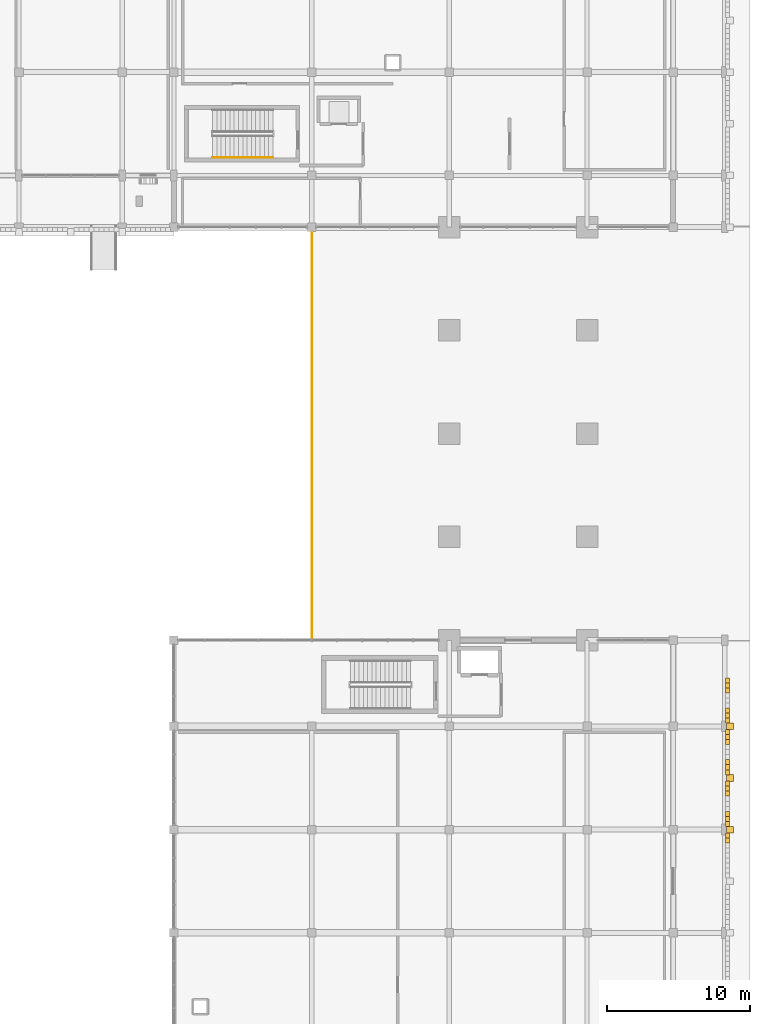
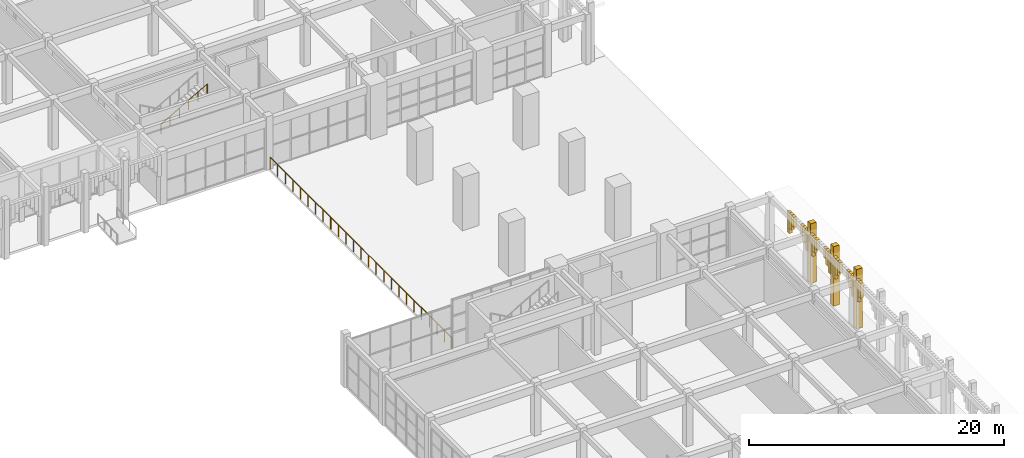
# One storey, part 61 of 72: 23 coverings, 2 railings.
"""IFC4 building model written with IfcOpenShell, lengths in metres."""

from ifc_helpers import new_model, si_unit, direction, frame, origin, origin_2d, place, context, subcontext, project, spatial, rectangle, circle, extrude, material, layer, layer_set, type_object, element, save


model = new_model("IFC4")

# Units and contexts
model_context = context("Model", 3, precision=1e-05, world=origin(), true_north=direction((0.0, 1.0)))
body_context = subcontext(model_context, "Body", "Model", "MODEL_VIEW")
ifc_project = project(units=[si_unit("LENGTHUNIT", "METRE"), si_unit("AREAUNIT", "SQUARE_METRE"), si_unit("VOLUMEUNIT", "CUBIC_METRE"), si_unit("PLANEANGLEUNIT", "RADIAN"), si_unit("MASSUNIT", "GRAM", prefix="KILO")], contexts=[model_context])

# Site, building, storey
site_placement = place(None, origin())
site = spatial("IfcSite", under=ifc_project, at=site_placement, CompositionType="ELEMENT")
building_placement = place(site_placement, origin())
building = spatial("IfcBuilding", under=site, at=building_placement, Name="Nzembalo Square Collegiate School", CompositionType="ELEMENT")
storey_placement = place(building_placement, origin())
storey = spatial("IfcBuildingStorey", under=building, at=storey_placement, Name="L00", CompositionType="ELEMENT", Elevation=0.0)

# Coverings
ifc_material_1 = material(Name="Precast concrete C40/50 arch voussoir", Category="concrete")
ifc_layer = layer(ifc_material_1, 0.1201171875, Name="Precast concrete C40/50 arch voussoir")
ifc_layer_set = layer_set([ifc_layer], Name="Precast concrete C40/50 arch voussoir")
covering_type = type_object("IfcCoveringType", Name="AR01", PredefinedType="CLADDING", material=ifc_layer_set)
covering_1_placement = place(storey_placement, frame((169.3798828125, 36.453369140625, 3.361328125), z_axis=(0.0, 0.0, 1.0), x_axis=(1.0, 0.0, 0.0)))
element("IfcCovering", 1, at=covering_1_placement, inside=storey, type_object=covering_type, Name="Gothic pointed arch voussoir AR01-084-7", PredefinedType="CLADDING", context=body_context, shape_type="SweptSolid", body=[
    extrude(rectangle(XDim=0.280029296875, YDim=0.35107421875, at=origin_2d()), origin(), (0.0, 0.0, 1.0), 1.438720703125),
])
covering_2_placement = place(storey_placement, frame((169.3798828125, 36.804443359375, 2.80859375), z_axis=(0.0, 0.0, 1.0), x_axis=(1.0, 0.0, 0.0)))
element("IfcCovering", 2, at=covering_2_placement, inside=storey, type_object=covering_type, Name="Gothic pointed arch voussoir AR01-084-8", PredefinedType="CLADDING", context=body_context, shape_type="SweptSolid", body=[
    extrude(rectangle(XDim=0.280029296875, YDim=0.35107421875, at=origin_2d()), origin(), (0.0, 0.0, 1.0), 1.991455078125),
])
covering_3_placement = place(storey_placement, frame((169.3798828125, 37.595703125, 2.808349609375), z_axis=(0.0, 0.0, 1.0), x_axis=(1.0, 0.0, 0.0)))
element("IfcCovering", 3, at=covering_3_placement, inside=storey, type_object=covering_type, Name="Gothic pointed arch voussoir AR01-085-0", PredefinedType="CLADDING", context=body_context, shape_type="SweptSolid", body=[
    extrude(rectangle(XDim=0.280029296875, YDim=0.35107421875, at=origin_2d()), origin(), (0.0, 0.0, 1.0), 1.99169921875),
])
covering_4_placement = place(storey_placement, frame((169.3798828125, 37.94677734375, 3.361083984375), z_axis=(0.0, 0.0, 1.0), x_axis=(1.0, 0.0, 0.0)))
element("IfcCovering", 4, at=covering_4_placement, inside=storey, type_object=covering_type, Name="Gothic pointed arch voussoir AR01-085-1", PredefinedType="CLADDING", context=body_context, shape_type="SweptSolid", body=[
    extrude(rectangle(XDim=0.280029296875, YDim=0.35107421875, at=origin_2d()), origin(), (0.0, 0.0, 1.0), 1.43896484375),
])
for number, where, z_axis, x_axis, name in (
    (5, (169.3798828125, 38.2978515625, 3.810546875), (0.0, 0.0, 1.0), (1.0, 0.0, 0.0), "Gothic pointed arch voussoir AR01-085-2"),
    (6, (169.3798828125, 39.7021484375, 3.810546875), (0.0, 0.0, 1.0), (1.0, 0.0, 0.0), "Gothic pointed arch voussoir AR01-085-6"),
):
    element("IfcCovering", number, at=place(storey_placement, frame(where, z_axis=z_axis, x_axis=x_axis)), inside=storey, type_object=covering_type, Name=name, PredefinedType="CLADDING", context=body_context, shape_type="SweptSolid", body=[
        extrude(rectangle(XDim=0.280029296875, YDim=0.35107421875, at=origin_2d()), origin(), (0.0, 0.0, 1.0), 0.989501953125),
    ])
covering_5_placement = place(storey_placement, frame((169.3798828125, 40.05322265625, 3.361328125), z_axis=(0.0, 0.0, 1.0), x_axis=(1.0, 0.0, 0.0)))
element("IfcCovering", 7, at=covering_5_placement, inside=storey, type_object=covering_type, Name="Gothic pointed arch voussoir AR01-085-7", PredefinedType="CLADDING", context=body_context, shape_type="SweptSolid", body=[
    extrude(rectangle(XDim=0.280029296875, YDim=0.35107421875, at=origin_2d()), origin(), (0.0, 0.0, 1.0), 1.438720703125),
])
covering_6_placement = place(storey_placement, frame((169.3798828125, 40.404296875, 2.80859375), z_axis=(0.0, 0.0, 1.0), x_axis=(1.0, 0.0, 0.0)))
element("IfcCovering", 8, at=covering_6_placement, inside=storey, type_object=covering_type, Name="Gothic pointed arch voussoir AR01-085-8", PredefinedType="CLADDING", context=body_context, shape_type="SweptSolid", body=[
    extrude(rectangle(XDim=0.280029296875, YDim=0.35107421875, at=origin_2d()), origin(), (0.0, 0.0, 1.0), 1.991455078125),
])
covering_7_placement = place(storey_placement, frame((169.56005859375, 37.199951171875, 0.0), z_axis=(0.0, 0.0, 1.0), x_axis=(1.0, 0.0, 0.0)))
element("IfcCovering", 9, at=covering_7_placement, inside=storey, type_object=covering_type, Name="Gothic arcade buttress pinnacle AR01-B085", PredefinedType="CLADDING", context=body_context, shape_type="SweptSolid", body=[
    extrude(rectangle(XDim=0.52001953125, YDim=0.4599609375, at=origin_2d()), origin(), (0.0, 0.0, 1.0), 5.699951171875),
])
covering_8_placement = place(storey_placement, frame((169.3798828125, 41.195556640625, 2.808349609375), z_axis=(0.0, 0.0, 1.0), x_axis=(1.0, 0.0, 0.0)))
element("IfcCovering", 10, at=covering_8_placement, inside=storey, type_object=covering_type, Name="Gothic pointed arch voussoir AR01-086-0", PredefinedType="CLADDING", context=body_context, shape_type="SweptSolid", body=[
    extrude(rectangle(XDim=0.280029296875, YDim=0.35107421875, at=origin_2d()), origin(), (0.0, 0.0, 1.0), 1.99169921875),
])
covering_9_placement = place(storey_placement, frame((169.3798828125, 41.546630859375, 3.361083984375), z_axis=(0.0, 0.0, 1.0), x_axis=(1.0, 0.0, 0.0)))
element("IfcCovering", 11, at=covering_9_placement, inside=storey, type_object=covering_type, Name="Gothic pointed arch voussoir AR01-086-1", PredefinedType="CLADDING", context=body_context, shape_type="SweptSolid", body=[
    extrude(rectangle(XDim=0.280029296875, YDim=0.35107421875, at=origin_2d()), origin(), (0.0, 0.0, 1.0), 1.43896484375),
])
for number, where, z_axis, x_axis, name in (
    (12, (169.3798828125, 41.897705078125, 3.810546875), (0.0, 0.0, 1.0), (1.0, 0.0, 0.0), "Gothic pointed arch voussoir AR01-086-2"),
    (13, (169.3798828125, 43.30224609375, 3.810546875), (0.0, 0.0, 1.0), (1.0, 0.0, 0.0), "Gothic pointed arch voussoir AR01-086-6"),
):
    element("IfcCovering", number, at=place(storey_placement, frame(where, z_axis=z_axis, x_axis=x_axis)), inside=storey, type_object=covering_type, Name=name, PredefinedType="CLADDING", context=body_context, shape_type="SweptSolid", body=[
        extrude(rectangle(XDim=0.280029296875, YDim=0.35107421875, at=origin_2d()), origin(), (0.0, 0.0, 1.0), 0.989501953125),
    ])
covering_10_placement = place(storey_placement, frame((169.3798828125, 43.6533203125, 3.361328125), z_axis=(0.0, 0.0, 1.0), x_axis=(1.0, 0.0, 0.0)))
element("IfcCovering", 14, at=covering_10_placement, inside=storey, type_object=covering_type, Name="Gothic pointed arch voussoir AR01-086-7", PredefinedType="CLADDING", context=body_context, shape_type="SweptSolid", body=[
    extrude(rectangle(XDim=0.280029296875, YDim=0.35107421875, at=origin_2d()), origin(), (0.0, 0.0, 1.0), 1.438720703125),
])
covering_11_placement = place(storey_placement, frame((169.3798828125, 44.00439453125, 2.80859375), z_axis=(0.0, 0.0, 1.0), x_axis=(1.0, 0.0, 0.0)))
element("IfcCovering", 15, at=covering_11_placement, inside=storey, type_object=covering_type, Name="Gothic pointed arch voussoir AR01-086-8", PredefinedType="CLADDING", context=body_context, shape_type="SweptSolid", body=[
    extrude(rectangle(XDim=0.280029296875, YDim=0.35107421875, at=origin_2d()), origin(), (0.0, 0.0, 1.0), 1.991455078125),
])
covering_12_placement = place(storey_placement, frame((169.56005859375, 40.800048828125, 0.0), z_axis=(0.0, 0.0, 1.0), x_axis=(1.0, 0.0, 0.0)))
element("IfcCovering", 16, at=covering_12_placement, inside=storey, type_object=covering_type, Name="Gothic arcade buttress pinnacle AR01-B086", PredefinedType="CLADDING", context=body_context, shape_type="SweptSolid", body=[
    extrude(rectangle(XDim=0.52001953125, YDim=0.4599609375, at=origin_2d()), origin(), (0.0, 0.0, 1.0), 5.699951171875),
])
covering_13_placement = place(storey_placement, frame((169.3798828125, 44.795654296875, 2.808349609375), z_axis=(0.0, 0.0, 1.0), x_axis=(1.0, 0.0, 0.0)))
element("IfcCovering", 17, at=covering_13_placement, inside=storey, type_object=covering_type, Name="Gothic pointed arch voussoir AR01-087-0", PredefinedType="CLADDING", context=body_context, shape_type="SweptSolid", body=[
    extrude(rectangle(XDim=0.280029296875, YDim=0.35107421875, at=origin_2d()), origin(), (0.0, 0.0, 1.0), 1.99169921875),
])
covering_14_placement = place(storey_placement, frame((169.3798828125, 45.146728515625, 3.361083984375), z_axis=(0.0, 0.0, 1.0), x_axis=(1.0, 0.0, 0.0)))
element("IfcCovering", 18, at=covering_14_placement, inside=storey, type_object=covering_type, Name="Gothic pointed arch voussoir AR01-087-1", PredefinedType="CLADDING", context=body_context, shape_type="SweptSolid", body=[
    extrude(rectangle(XDim=0.280029296875, YDim=0.35107421875, at=origin_2d()), origin(), (0.0, 0.0, 1.0), 1.43896484375),
])
for number, where, z_axis, x_axis, name in (
    (19, (169.3798828125, 45.497802734375, 3.810546875), (0.0, 0.0, 1.0), (1.0, 0.0, 0.0), "Gothic pointed arch voussoir AR01-087-2"),
    (20, (169.3798828125, 46.902099609375, 3.810546875), (0.0, 0.0, 1.0), (1.0, 0.0, 0.0), "Gothic pointed arch voussoir AR01-087-6"),
):
    element("IfcCovering", number, at=place(storey_placement, frame(where, z_axis=z_axis, x_axis=x_axis)), inside=storey, type_object=covering_type, Name=name, PredefinedType="CLADDING", context=body_context, shape_type="SweptSolid", body=[
        extrude(rectangle(XDim=0.280029296875, YDim=0.35107421875, at=origin_2d()), origin(), (0.0, 0.0, 1.0), 0.989501953125),
    ])
covering_15_placement = place(storey_placement, frame((169.3798828125, 47.25341796875, 3.361328125), z_axis=(0.0, 0.0, 1.0), x_axis=(1.0, 0.0, 0.0)))
element("IfcCovering", 21, at=covering_15_placement, inside=storey, type_object=covering_type, Name="Gothic pointed arch voussoir AR01-087-7", PredefinedType="CLADDING", context=body_context, shape_type="SweptSolid", body=[
    extrude(rectangle(XDim=0.280029296875, YDim=0.35107421875, at=origin_2d()), origin(), (0.0, 0.0, 1.0), 1.438720703125),
])
covering_16_placement = place(storey_placement, frame((169.3798828125, 47.6044921875, 2.80859375), z_axis=(0.0, 0.0, 1.0), x_axis=(1.0, 0.0, 0.0)))
element("IfcCovering", 22, at=covering_16_placement, inside=storey, type_object=covering_type, Name="Gothic pointed arch voussoir AR01-087-8", PredefinedType="CLADDING", context=body_context, shape_type="SweptSolid", body=[
    extrude(rectangle(XDim=0.280029296875, YDim=0.35107421875, at=origin_2d()), origin(), (0.0, 0.0, 1.0), 1.991455078125),
])
covering_17_placement = place(storey_placement, frame((169.56005859375, 44.39990234375, 0.0), z_axis=(0.0, 0.0, 1.0), x_axis=(1.0, 0.0, 0.0)))
element("IfcCovering", 23, at=covering_17_placement, inside=storey, type_object=covering_type, Name="Gothic arcade buttress pinnacle AR01-B087", PredefinedType="CLADDING", context=body_context, shape_type="SweptSolid", body=[
    extrude(rectangle(XDim=0.52001953125, YDim=0.4599609375, at=origin_2d()), origin(), (0.0, 0.0, 1.0), 5.699951171875),
])

# Railings
ifc_material_2 = material(Name="Steel S355", Category="steel")
railing_type_1 = type_object("IfcRailingType", Name="BL01", PredefinedType="BALUSTRADE", material=ifc_material_2)
railing_1_placement = place(storey_placement, frame((140.429931640625, 50.39990234375, 0.0)))
element("IfcRailing", 24, at=railing_1_placement, inside=storey, type_object=railing_type_1, Name="Terrace balustrade BL-01A", PredefinedType="BALUSTRADE", context=body_context, shape_type="SweptSolid", body=[
    extrude(circle(Radius=0.02392578125, at=origin_2d()), frame((0.0, 0.0, 1.1259765625), z_axis=(0.0, 1.0, 0.0), x_axis=(-1.0, 0.0, 0.0)), (0.0, 0.0, 1.0), 28.52001953125),
    extrude(circle(Radius=0.02099609375, at=origin_2d()), origin(), (0.0, 0.0, 1.0), 1.101806640625),
    extrude(circle(Radius=0.02099609375, at=origin_2d()), frame((0.0, 1.188232421875, 0.0)), (0.0, 0.0, 1.0), 1.101806640625),
    extrude(circle(Radius=0.02099609375, at=origin_2d()), frame((0.0, 2.376708984375, 0.0)), (0.0, 0.0, 1.0), 1.101806640625),
    extrude(circle(Radius=0.02099609375, at=origin_2d()), frame((0.0, 3.56494140625, 0.0)), (0.0, 0.0, 1.0), 1.101806640625),
    extrude(circle(Radius=0.02099609375, at=origin_2d()), frame((0.0, 4.75341796875, 0.0)), (0.0, 0.0, 1.0), 1.101806640625),
    extrude(circle(Radius=0.02099609375, at=origin_2d()), frame((0.0, 5.941650390625, 0.0)), (0.0, 0.0, 1.0), 1.101806640625),
    extrude(circle(Radius=0.02099609375, at=origin_2d()), frame((0.0, 7.1298828125, 0.0)), (0.0, 0.0, 1.0), 1.101806640625),
    extrude(circle(Radius=0.02099609375, at=origin_2d()), frame((0.0, 8.318359375, 0.0)), (0.0, 0.0, 1.0), 1.101806640625),
    extrude(circle(Radius=0.02099609375, at=origin_2d()), frame((0.0, 9.506591796875, 0.0)), (0.0, 0.0, 1.0), 1.101806640625),
    extrude(circle(Radius=0.02099609375, at=origin_2d()), frame((0.0, 10.695068359375, 0.0)), (0.0, 0.0, 1.0), 1.101806640625),
    extrude(circle(Radius=0.02099609375, at=origin_2d()), frame((0.0, 11.88330078125, 0.0)), (0.0, 0.0, 1.0), 1.101806640625),
    extrude(circle(Radius=0.02099609375, at=origin_2d()), frame((0.0, 13.07177734375, 0.0)), (0.0, 0.0, 1.0), 1.101806640625),
    extrude(circle(Radius=0.02099609375, at=origin_2d()), frame((0.0, 14.260009765625, 0.0)), (0.0, 0.0, 1.0), 1.101806640625),
    extrude(circle(Radius=0.02099609375, at=origin_2d()), frame((0.0, 15.4482421875, 0.0)), (0.0, 0.0, 1.0), 1.101806640625),
    extrude(circle(Radius=0.02099609375, at=origin_2d()), frame((0.0, 16.63671875, 0.0)), (0.0, 0.0, 1.0), 1.101806640625),
    extrude(circle(Radius=0.02099609375, at=origin_2d()), frame((0.0, 17.824951171875, 0.0)), (0.0, 0.0, 1.0), 1.101806640625),
    extrude(circle(Radius=0.02099609375, at=origin_2d()), frame((0.0, 19.013427734375, 0.0)), (0.0, 0.0, 1.0), 1.101806640625),
    extrude(circle(Radius=0.02099609375, at=origin_2d()), frame((0.0, 20.20166015625, 0.0)), (0.0, 0.0, 1.0), 1.101806640625),
    extrude(circle(Radius=0.02099609375, at=origin_2d()), frame((0.0, 21.39013671875, 0.0)), (0.0, 0.0, 1.0), 1.101806640625),
    extrude(circle(Radius=0.02099609375, at=origin_2d()), frame((0.0, 22.578369140625, 0.0)), (0.0, 0.0, 1.0), 1.101806640625),
    extrude(circle(Radius=0.02099609375, at=origin_2d()), frame((0.0, 23.7666015625, 0.0)), (0.0, 0.0, 1.0), 1.101806640625),
    extrude(circle(Radius=0.02099609375, at=origin_2d()), frame((0.0, 24.955078125, 0.0)), (0.0, 0.0, 1.0), 1.101806640625),
    extrude(circle(Radius=0.02099609375, at=origin_2d()), frame((0.0, 26.143310546875, 0.0)), (0.0, 0.0, 1.0), 1.101806640625),
    extrude(circle(Radius=0.02099609375, at=origin_2d()), frame((0.0, 27.331787109375, 0.0)), (0.0, 0.0, 1.0), 1.101806640625),
    extrude(circle(Radius=0.02099609375, at=origin_2d()), frame((0.0, 28.52001953125, 0.0)), (0.0, 0.0, 1.0), 1.101806640625),
])
ifc_material_3 = material(Name="Steel S355", Category="steel")
railing_type_2 = type_object("IfcRailingType", Name="HR01", PredefinedType="HANDRAIL", material=ifc_material_3)
railing_2_placement = place(storey_placement, frame((133.5, 84.050048828125, 2.7099609375)))
element("IfcRailing", 25, at=railing_2_placement, inside=storey, type_object=railing_type_2, Name="Stair handrail HR-13-2", PredefinedType="HANDRAIL", context=body_context, shape_type="SweptSolid", body=[
    extrude(circle(Radius=0.02392578125, at=origin_2d()), frame((0.0, 0.0, 0.89599609375), z_axis=(0.870008446991, 0.0, 0.493036816236), x_axis=(0.0, 1.0, 0.0)), (0.0, 0.0, 1.0), 4.827392578125),
    extrude(circle(Radius=0.02099609375, at=origin_2d()), origin(), (0.0, 0.0, 1.0), 0.871826171875),
    extrude(circle(Radius=0.02099609375, at=origin_2d()), frame((0.840087890625, 0.0, 0.47607421875)), (0.0, 0.0, 1.0), 0.871826171875),
    extrude(circle(Radius=0.02099609375, at=origin_2d()), frame((1.679931640625, 0.0, 0.9521484375)), (0.0, 0.0, 1.0), 0.871826171875),
    extrude(circle(Radius=0.02099609375, at=origin_2d()), frame((2.52001953125, 0.0, 1.427978515625)), (0.0, 0.0, 1.0), 0.871826171875),
    extrude(circle(Radius=0.02099609375, at=origin_2d()), frame((3.35986328125, 0.0, 1.904052734375)), (0.0, 0.0, 1.0), 0.871826171875),
    extrude(circle(Radius=0.02099609375, at=origin_2d()), frame((4.199951171875, 0.0, 2.380126953125)), (0.0, 0.0, 1.0), 0.871826171875),
])

save(model, "model.ifc")
